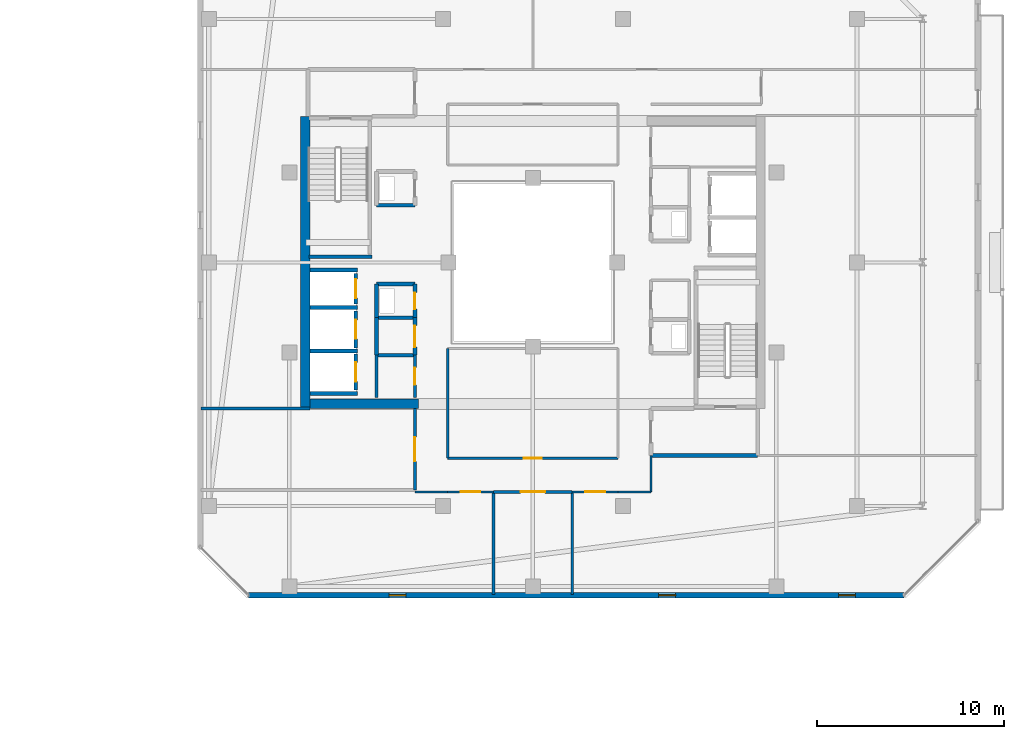
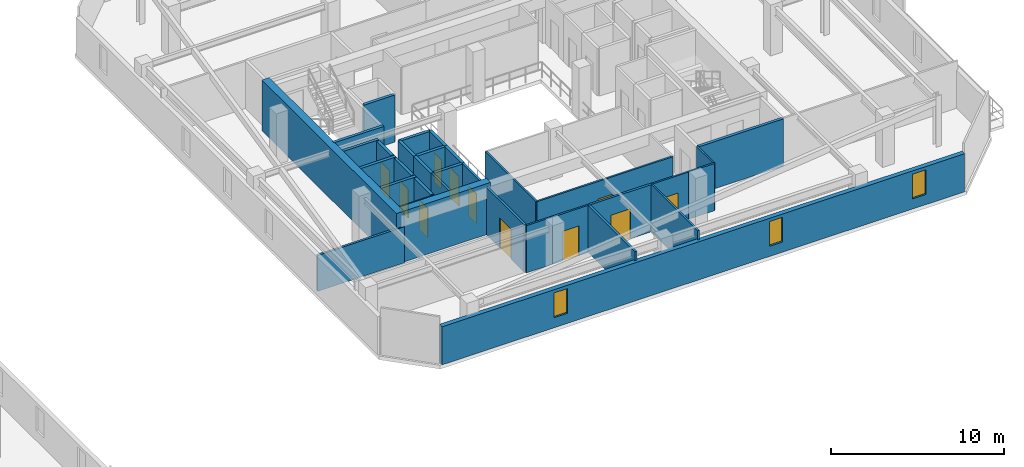
# One storey, part 25 of 34: 34 walls, 11 doors, 3 windows, 14 openings.
"""IFC4 building model written with IfcOpenShell, lengths in metres."""

from ifc_helpers import new_model, si_unit, direction, frame, frame_2d, origin, place, context, subcontext, project, spatial, rectangle, extrude, material, layer, layer_set, type_object, element, fill, save


model = new_model("IFC4")

# Units and contexts
model_context = context("Model", 3, precision=1e-05, world=origin(), true_north=direction((0.0, 1.0)))
body_context = subcontext(model_context, "Body", "Model", "MODEL_VIEW")
ifc_project = project(units=[si_unit("LENGTHUNIT", "METRE"), si_unit("AREAUNIT", "SQUARE_METRE"), si_unit("VOLUMEUNIT", "CUBIC_METRE"), si_unit("PLANEANGLEUNIT", "RADIAN"), si_unit("MASSUNIT", "GRAM", prefix="KILO")], contexts=[model_context])

# Site, building, storey
site_placement = place(None, origin())
site = spatial("IfcSite", under=ifc_project, at=site_placement, CompositionType="ELEMENT")
building_placement = place(site_placement, origin())
building = spatial("IfcBuilding", under=site, at=building_placement, Name="Thornwick Lancets Civic Towers", CompositionType="ELEMENT")
storey_placement = place(building_placement, frame((0.0, 0.0, 258.300048828125)))
storey = spatial("IfcBuildingStorey", under=building, at=storey_placement, Name="L69", CompositionType="ELEMENT", Elevation=258.300048828125)

# Wall, opening, door
ifc_material_1 = material(Name="Concrete blockwork C40/50", Category="masonry")
ifc_layer_1 = layer(ifc_material_1, 0.199951171875, Name="Concrete blockwork C40/50")
ifc_layer_set_1 = layer_set([ifc_layer_1], Name="Concrete blockwork C40/50")
wall_type_1 = type_object("IfcWallType", Name="WALL_COMP_200", PredefinedType="STANDARD", material=ifc_layer_set_1)
wall_1_placement = place(storey_placement, frame((79.050048828125, 24.780029296875, 0.0), z_axis=(0.0, 0.0, 1.0), x_axis=(0.0, 1.0, 0.0)))
wall_1 = element("IfcWall", 1, at=wall_1_placement, inside=storey, type_object=wall_type_1, Name="L69 Hoistway Front Wall FL-B2", PredefinedType="STANDARD", context=body_context, shape_type="SweptSolid", body=[
    extrude(rectangle(XDim=1.639892578125, YDim=0.199951171875, at=frame_2d((0.81982421875, 0.0))), origin(), (0.0, 0.0, 1.0), 3.33984375),
])
opening_1_placement = place(wall_1_placement, frame((0.31005859375, 0.0, 0.0)))
opening_1 = element("IfcOpeningElement", 2, at=opening_1_placement, cuts=wall_1, Name="Opening LD-FL-B2", PredefinedType="OPENING", context=body_context, shape_type="SweptSolid", body=[
    extrude(rectangle(XDim=1.02001953125, YDim=2.06005859375, at=frame_2d((0.510009765625, 1.030029296875))), frame((0.0, 0.10986328125, 0.0), z_axis=(0.0, -1.0, 0.0), x_axis=(1.0, 0.0, 0.0)), (0.0, 0.0, 1.0), 0.219970703125),
])
ifc_material_2 = material(Name="Brushed bronze stainless steel", Category="steel")
door_type_1 = type_object("IfcDoorType", Name="DOOR_LIFT_SLIDE", OperationType="SLIDING_TO_LEFT", PredefinedType="DOOR", material=ifc_material_2)
door_1_placement = place(opening_1_placement, origin())
door_1 = element("IfcDoor", 3, at=door_1_placement, inside=storey, type_object=door_type_1, Name="L69 Sliding Lift Landing Door LD-FL-B2", OperationType="SLIDING_TO_LEFT", OverallHeight=2.06005859375, OverallWidth=1.02001953125, PredefinedType="DOOR", context=body_context, shape_type="SweptSolid", body=[
    extrude(rectangle(XDim=1.02001953125, YDim=2.06005859375, at=frame_2d((0.510009765625, 1.030029296875))), frame((0.0, 0.02490234375, 0.0), z_axis=(0.0, -1.0, 0.0), x_axis=(1.0, 0.0, 0.0)), (0.0, 0.0, 1.0), 0.050048828125),
])
fill(opening_1, door_1)

wall_2_placement = place(storey_placement, frame((79.050048828125, 22.429931640625, 0.0), z_axis=(0.0, 0.0, 1.0), x_axis=(0.0, 1.0, 0.0)))
wall_2 = element("IfcWall", 4, at=wall_2_placement, inside=storey, type_object=wall_type_1, Name="L69 Hoistway Front Wall PL-BH2", PredefinedType="STANDARD", context=body_context, shape_type="SweptSolid", body=[
    extrude(rectangle(XDim=1.989990234375, YDim=0.199951171875, at=frame_2d((0.9951171875, 0.0))), origin(), (0.0, 0.0, 1.0), 3.33984375),
])
opening_2_placement = place(wall_2_placement, frame((0.485107421875, 0.0, 0.0)))
opening_2 = element("IfcOpeningElement", 5, at=opening_2_placement, cuts=wall_2, Name="Opening LD-PL-BH2", PredefinedType="OPENING", context=body_context, shape_type="SweptSolid", body=[
    extrude(rectangle(XDim=1.02001953125, YDim=2.06005859375, at=frame_2d((0.510009765625, 1.030029296875))), frame((0.0, 0.10986328125, 0.0), z_axis=(0.0, -1.0, 0.0), x_axis=(1.0, 0.0, 0.0)), (0.0, 0.0, 1.0), 0.219970703125),
])
door_2_placement = place(opening_2_placement, origin())
door_2 = element("IfcDoor", 6, at=door_2_placement, inside=storey, type_object=door_type_1, Name="L69 Sliding Lift Landing Door LD-PL-BH2", OperationType="SLIDING_TO_LEFT", OverallHeight=2.06005859375, OverallWidth=1.02001953125, PredefinedType="DOOR", context=body_context, shape_type="SweptSolid", body=[
    extrude(rectangle(XDim=1.02001953125, YDim=2.06005859375, at=frame_2d((0.510009765625, 1.030029296875))), frame((0.0, 0.02490234375, 0.0), z_axis=(0.0, -1.0, 0.0), x_axis=(1.0, 0.0, 0.0)), (0.0, 0.0, 1.0), 0.050048828125),
])
fill(opening_2, door_2)

wall_3_placement = place(storey_placement, frame((79.050048828125, 20.179931640625, 0.0), z_axis=(0.0, 0.0, 1.0), x_axis=(0.0, 1.0, 0.0)))
wall_3 = element("IfcWall", 7, at=wall_3_placement, inside=storey, type_object=wall_type_1, Name="L69 Hoistway Front Wall PL-BH3", PredefinedType="STANDARD", context=body_context, shape_type="SweptSolid", body=[
    extrude(rectangle(XDim=1.940185546875, YDim=0.199951171875, at=frame_2d((0.97021484375, 0.0))), origin(), (0.0, 0.0, 1.0), 3.33984375),
])
opening_3_placement = place(wall_3_placement, frame((0.4599609375, 0.0, 0.0)))
opening_3 = element("IfcOpeningElement", 8, at=opening_3_placement, cuts=wall_3, Name="Opening LD-PL-BH3", PredefinedType="OPENING", context=body_context, shape_type="SweptSolid", body=[
    extrude(rectangle(XDim=1.02001953125, YDim=2.06005859375, at=frame_2d((0.510009765625, 1.030029296875))), frame((0.0, 0.10986328125, 0.0), z_axis=(0.0, -1.0, 0.0), x_axis=(1.0, 0.0, 0.0)), (0.0, 0.0, 1.0), 0.219970703125),
])
door_3_placement = place(opening_3_placement, origin())
door_3 = element("IfcDoor", 9, at=door_3_placement, inside=storey, type_object=door_type_1, Name="L69 Sliding Lift Landing Door LD-PL-BH3", OperationType="SLIDING_TO_LEFT", OverallHeight=2.06005859375, OverallWidth=1.02001953125, PredefinedType="DOOR", context=body_context, shape_type="SweptSolid", body=[
    extrude(rectangle(XDim=1.02001953125, YDim=2.06005859375, at=frame_2d((0.510009765625, 1.030029296875))), frame((0.0, 0.02490234375, 0.0), z_axis=(0.0, -1.0, 0.0), x_axis=(1.0, 0.0, 0.0)), (0.0, 0.0, 1.0), 0.050048828125),
])
fill(opening_3, door_3)

# Walls
for number, where, z_axis, x_axis, name in (
    (10, (76.612060546875, 26.60009765625, 0.0), (0.0, 0.0, 1.0), (1.0, 0.0, 0.0), "L69 Hoistway Shaft Wall FL-B2 N"),
    (11, (76.612060546875, 24.60009765625, 0.0), (0.0, 0.0, 1.0), (1.0, 0.0, 0.0), "L69 Hoistway Shaft Wall FL-B2 S"),
    (12, (76.612060546875, 22.27490234375, 0.0), (0.0, 0.0, 1.0), (1.0, 0.0, 0.0), "L69 Hoistway Shaft Wall PL-BH2 S"),
    (13, (76.612060546875, 20.0, 0.0), (0.0, 0.0, 1.0), (1.0, 0.0, 0.0), "L69 Hoistway Shaft Wall PL-BH3 S"),
):
    element("IfcWall", number, at=place(storey_placement, frame(where, z_axis=z_axis, x_axis=x_axis)), inside=storey, type_object=wall_type_1, Name=name, PredefinedType="STANDARD", context=body_context, shape_type="SweptSolid", body=[
        extrude(rectangle(XDim=2.535888671875, YDim=0.199951171875, at=frame_2d((1.26806640625, 0.0))), origin(), (0.0, 0.0, 1.0), 3.33984375),
    ])
wall_4_placement = place(storey_placement, frame((94.800048828125, 16.699951171875, 0.0), z_axis=(0.0, 0.0, 1.0), x_axis=(1.0, 0.0, 0.0)))
element("IfcWall", 14, at=wall_4_placement, inside=storey, type_object=wall_type_1, Name="L69 Partition L69-B-FFLOB1 E1", PredefinedType="STANDARD", context=body_context, shape_type="SweptSolid", body=[
    extrude(rectangle(XDim=5.699951171875, YDim=0.199951171875, at=frame_2d((2.85009765625, 0.0))), origin(), (0.0, 0.0, 1.0), 3.33984375),
])
wall_5_placement = place(storey_placement, frame((80.14990234375, 24.050048828125, 0.0), z_axis=(0.0, 0.0, 1.0), x_axis=(1.0, 0.0, 0.0)))
element("IfcWall", 15, at=wall_5_placement, inside=storey, type_object=wall_type_1, Name="L69 Partition L69-B-DUCT2 E1", PredefinedType="STANDARD", context=body_context, shape_type="SweptSolid", body=[
    extrude(rectangle(XDim=2.050048828125, YDim=0.199951171875, at=frame_2d((1.02490234375, 0.0))), origin(), (0.0, 0.0, 1.0), 3.33984375),
])

# Wall, opening, door
wall_6_placement = place(storey_placement, frame((82.199951171875, 24.050048828125, 0.0), z_axis=(0.0, 0.0, 1.0), x_axis=(0.0, 1.0, 0.0)))
wall_6 = element("IfcWall", 16, at=wall_6_placement, inside=storey, type_object=wall_type_1, Name="L69 Partition L69-B-DUCT2 E2", PredefinedType="STANDARD", context=body_context, shape_type="SweptSolid", body=[
    extrude(rectangle(XDim=1.800048828125, YDim=0.199951171875, at=frame_2d((0.89990234375, 0.0))), origin(), (0.0, 0.0, 1.0), 3.33984375),
])
opening_4_placement = place(wall_6_placement, frame((0.4599609375, 0.0, 0.0)))
opening_4 = element("IfcOpeningElement", 17, at=opening_4_placement, cuts=wall_6, Name="Opening D-L69-3150", PredefinedType="OPENING", context=body_context, shape_type="SweptSolid", body=[
    extrude(rectangle(XDim=0.8798828125, YDim=2.0400390625, at=frame_2d((0.43994140625, 1.02001953125))), frame((0.0, 0.10986328125, 0.0), z_axis=(0.0, -1.0, 0.0), x_axis=(1.0, 0.0, 0.0)), (0.0, 0.0, 1.0), 0.219970703125),
])
ifc_material_3 = material(Name="Steel riser access doorset", Category="steel")
door_type_2 = type_object("IfcDoorType", Name="DOOR_RISER_850", OperationType="NOTDEFINED", PredefinedType="DOOR", material=ifc_material_3)
door_4_placement = place(opening_4_placement, origin())
door_4 = element("IfcDoor", 18, at=door_4_placement, inside=storey, type_object=door_type_2, Name="L69 West Service Duct 2 Door", OperationType="SINGLE_SWING_LEFT", OverallHeight=2.0400390625, OverallWidth=0.8798828125, PredefinedType="DOOR", context=body_context, shape_type="SweptSolid", body=[
    extrude(rectangle(XDim=0.8798828125, YDim=2.0400390625, at=frame_2d((0.43994140625, 1.02001953125))), frame((0.0, 0.02490234375, 0.0), z_axis=(0.0, -1.0, 0.0), x_axis=(1.0, 0.0, 0.0)), (0.0, 0.0, 1.0), 0.050048828125),
])
fill(opening_4, door_4)

# Walls
wall_7_placement = place(storey_placement, frame((82.199951171875, 25.85009765625, 0.0), z_axis=(0.0, 0.0, 1.0), x_axis=(-1.0, 0.0, 0.0)))
element("IfcWall", 19, at=wall_7_placement, inside=storey, type_object=wall_type_1, Name="L69 Partition L69-B-DUCT2 E3", PredefinedType="STANDARD", context=body_context, shape_type="SweptSolid", body=[
    extrude(rectangle(XDim=2.050048828125, YDim=0.199951171875, at=frame_2d((1.02490234375, 0.0))), origin(), (0.0, 0.0, 1.0), 3.33984375),
])
wall_8_placement = place(storey_placement, frame((80.14990234375, 25.85009765625, 0.0), z_axis=(0.0, 0.0, 1.0), x_axis=(0.0, -1.0, 0.0)))
element("IfcWall", 20, at=wall_8_placement, inside=storey, type_object=wall_type_1, Name="L69 Partition L69-B-DUCT2 E4", PredefinedType="STANDARD", context=body_context, shape_type="SweptSolid", body=[
    extrude(rectangle(XDim=1.800048828125, YDim=0.199951171875, at=frame_2d((0.89990234375, 0.0))), origin(), (0.0, 0.0, 1.0), 3.33984375),
])
wall_9_placement = place(storey_placement, frame((80.14990234375, 30.050048828125, 0.0), z_axis=(0.0, 0.0, 1.0), x_axis=(1.0, 0.0, 0.0)))
element("IfcWall", 21, at=wall_9_placement, inside=storey, type_object=wall_type_1, Name="L69 Partition L69-B-RISER2 E1", PredefinedType="STANDARD", context=body_context, shape_type="SweptSolid", body=[
    extrude(rectangle(XDim=2.050048828125, YDim=0.199951171875, at=frame_2d((1.02490234375, 0.0))), origin(), (0.0, 0.0, 1.0), 3.33984375),
])
wall_10_placement = place(storey_placement, frame((80.14990234375, 22.050048828125, 0.0), z_axis=(0.0, 0.0, 1.0), x_axis=(0.0, 1.0, 0.0)))
element("IfcWall", 22, at=wall_10_placement, inside=storey, type_object=wall_type_1, Name="L69 Partition L69-B-STR E1", PredefinedType="STANDARD", context=body_context, shape_type="SweptSolid", body=[
    extrude(rectangle(XDim=2.0, YDim=0.199951171875, at=frame_2d((1.0, 0.0))), origin(), (0.0, 0.0, 1.0), 3.33984375),
])

# Wall, opening, door
wall_11_placement = place(storey_placement, frame((82.199951171875, 24.050048828125, 0.0), z_axis=(0.0, 0.0, 1.0), x_axis=(0.0, -1.0, 0.0)))
wall_11 = element("IfcWall", 23, at=wall_11_placement, inside=storey, type_object=wall_type_1, Name="L69 Partition L69-B-STR E3", PredefinedType="STANDARD", context=body_context, shape_type="SweptSolid", body=[
    extrude(rectangle(XDim=2.0, YDim=0.199951171875, at=frame_2d((1.0, 0.0))), origin(), (0.0, 0.0, 1.0), 3.33984375),
])
opening_5_placement = place(wall_11_placement, frame((0.425048828125, 0.0, 0.0)))
opening_5 = element("IfcOpeningElement", 24, at=opening_5_placement, cuts=wall_11, Name="Opening D-L69-3156", PredefinedType="OPENING", context=body_context, shape_type="SweptSolid", body=[
    extrude(rectangle(XDim=1.14990234375, YDim=2.10009765625, at=frame_2d((0.574951171875, 1.050048828125))), frame((0.0, 0.10986328125, 0.0), z_axis=(0.0, -1.0, 0.0), x_axis=(1.0, 0.0, 0.0)), (0.0, 0.0, 1.0), 0.219970703125),
])
ifc_material_4 = material(Name="Glazed fire-resisting steel", Category="steel")
door_type_3 = type_object("IfcDoorType", Name="DOOR_LOBBY_FD60", OperationType="NOTDEFINED", PredefinedType="DOOR", material=ifc_material_4)
door_5_placement = place(opening_5_placement, origin())
door_5 = element("IfcDoor", 25, at=door_5_placement, inside=storey, type_object=door_type_3, Name="L69 Tower B Core Records Store Door", OperationType="SINGLE_SWING_LEFT", OverallHeight=2.10009765625, OverallWidth=1.14990234375, PredefinedType="DOOR", context=body_context, shape_type="SweptSolid", body=[
    extrude(rectangle(XDim=1.14990234375, YDim=2.10009765625, at=frame_2d((0.574951171875, 1.050048828125))), frame((0.0, 0.02490234375, 0.0), z_axis=(0.0, -1.0, 0.0), x_axis=(1.0, 0.0, 0.0)), (0.0, 0.0, 1.0), 0.050048828125),
])
fill(opening_5, door_5)

# Walls
wall_12_placement = place(storey_placement, frame((82.199951171875, 22.050048828125, 0.0), z_axis=(0.0, 0.0, 1.0), x_axis=(-1.0, 0.0, 0.0)))
element("IfcWall", 26, at=wall_12_placement, inside=storey, type_object=wall_type_1, Name="L69 Partition L69-B-STR E4", PredefinedType="STANDARD", context=body_context, shape_type="SweptSolid", body=[
    extrude(rectangle(XDim=2.050048828125, YDim=0.199951171875, at=frame_2d((1.02490234375, 0.0))), origin(), (0.0, 0.0, 1.0), 3.33984375),
])
ifc_material_5 = material(Name="Concrete C50/60", Category="concrete")
ifc_layer_2 = layer(ifc_material_5, 0.5, Name="Concrete C50/60")
ifc_layer_set_2 = layer_set([ifc_layer_2], Name="Concrete C50/60")
wall_type_2 = type_object("IfcWallType", Name="WALL_CORE_500", PredefinedType="SHEAR", material=ifc_layer_set_2)
wall_13_placement = place(storey_placement, frame((76.35009765625, 19.199951171875, 0.0), z_axis=(0.0, 0.0, 1.0), x_axis=(0.0, 1.0, 0.0)))
element("IfcWall", 27, at=wall_13_placement, inside=storey, type_object=wall_type_2, Name="L69 Split Core B2 Shear Wall W", PredefinedType="SHEAR", context=body_context, shape_type="SweptSolid", body=[
    extrude(rectangle(XDim=15.60009765625, YDim=0.5, at=frame_2d((7.800048828125, 0.0))), origin(), (0.0, 0.0, 1.0), 3.599853515625),
])
wall_14_placement = place(storey_placement, frame((76.60009765625, 19.449951171875, 0.0), z_axis=(0.0, 0.0, 1.0), x_axis=(1.0, 0.0, 0.0)))
element("IfcWall", 28, at=wall_14_placement, inside=storey, type_object=wall_type_2, Name="L69 Split Core B2 Shear Wall S", PredefinedType="SHEAR", context=body_context, shape_type="SweptSolid", body=[
    extrude(rectangle(XDim=5.7998046875, YDim=0.5, at=frame_2d((2.89990234375, 0.0))), origin(), (0.0, 0.0, 1.0), 3.599853515625),
])

# Wall, openings, windows
ifc_material_6 = material(Name="Insulated russet terracotta rainscreen on concrete C40/50", Category="masonry")
ifc_layer_3 = layer(ifc_material_6, 0.300048828125, Name="Insulated russet terracotta rainscreen on concrete C40/50")
ifc_layer_set_3 = layer_set([ifc_layer_3], Name="Insulated russet terracotta rainscreen on concrete C40/50")
wall_type_3 = type_object("IfcWallType", Name="WALL_EXT_RUSSET_300", PredefinedType="STANDARD", material=ifc_layer_set_3)
wall_15_placement = place(storey_placement, frame((73.318603515625, 9.2353515625, 0.0), z_axis=(0.0, 0.0, 1.0), x_axis=(0.999999991209, 0.000132597301, 0.0)))
wall_15 = element("IfcWall", 29, at=wall_15_placement, inside=storey, type_object=wall_type_3, Name="L69 Tower B Terracotta Facade Wall E0", PredefinedType="STANDARD", context=body_context, shape_type="SweptSolid", body=[
    extrude(rectangle(XDim=34.983154296875, YDim=0.300048828125, at=frame_2d((17.49169921875, 0.0))), origin(), (0.0, 0.0, 1.0), 2.699951171875),
])
opening_6_placement = place(wall_15_placement, frame((7.5, 0.0, 0.719970703125)))
opening_6 = element("IfcOpeningElement", 30, at=opening_6_placement, cuts=wall_15, Name="Opening WL-01", PredefinedType="OPENING", context=body_context, shape_type="SweptSolid", body=[
    extrude(rectangle(XDim=0.89990234375, YDim=1.75, at=frame_2d((0.449951171875, 0.875))), frame((0.0, 0.16015625, 0.0), z_axis=(0.0, -1.0, 0.0), x_axis=(1.0, 0.0, 0.0)), (0.0, 0.0, 1.0), 0.320068359375),
])
opening_7_placement = place(wall_15_placement, frame((21.89990234375, 0.0, 0.719970703125)))
opening_7 = element("IfcOpeningElement", 31, at=opening_7_placement, cuts=wall_15, Name="Opening WL-01", PredefinedType="OPENING", context=body_context, shape_type="SweptSolid", body=[
    extrude(rectangle(XDim=0.89990234375, YDim=1.75, at=frame_2d((0.449951171875, 0.875))), frame((0.0, 0.16015625, 0.0), z_axis=(0.0, -1.0, 0.0), x_axis=(1.0, 0.0, 0.0)), (0.0, 0.0, 1.0), 0.320068359375),
])
opening_8_placement = place(wall_15_placement, frame((31.5, 0.0, 0.719970703125)))
opening_8 = element("IfcOpeningElement", 32, at=opening_8_placement, cuts=wall_15, Name="Opening WL-01", PredefinedType="OPENING", context=body_context, shape_type="SweptSolid", body=[
    extrude(rectangle(XDim=0.89990234375, YDim=1.75, at=frame_2d((0.449951171875, 0.875))), frame((0.0, 0.16015625, 0.0), z_axis=(0.0, -1.0, 0.0), x_axis=(1.0, 0.0, 0.0)), (0.0, 0.0, 1.0), 0.320068359375),
])
ifc_material_7 = material(Name="Clear low-e double glazing in bronze frame", Category="glass")
window_type = type_object("IfcWindowType", Name="WIN_LANCET_900", PartitioningType="SINGLE_PANEL", PredefinedType="WINDOW", material=ifc_material_7)
window_1_placement = place(opening_6_placement, origin())
window_1 = element("IfcWindow", 33, at=window_1_placement, inside=storey, type_object=window_type, Name="L69 Tower B Staggered Lancet Window E0-1", OverallHeight=1.75, OverallWidth=0.89990234375, PartitioningType="SINGLE_PANEL", PredefinedType="WINDOW", context=body_context, shape_type="SweptSolid", body=[
    extrude(rectangle(XDim=0.89990234375, YDim=1.75, at=frame_2d((0.449951171875, 0.875))), frame((0.0, 0.030029296875, 0.0), z_axis=(0.0, -1.0, 0.0), x_axis=(1.0, 0.0, 0.0)), (0.0, 0.0, 1.0), 0.06005859375),
])
fill(opening_6, window_1)
window_2_placement = place(opening_7_placement, origin())
window_2 = element("IfcWindow", 34, at=window_2_placement, inside=storey, type_object=window_type, Name="L69 Tower B Staggered Lancet Window E0-2", OverallHeight=1.75, OverallWidth=0.89990234375, PartitioningType="SINGLE_PANEL", PredefinedType="WINDOW", context=body_context, shape_type="SweptSolid", body=[
    extrude(rectangle(XDim=0.89990234375, YDim=1.75, at=frame_2d((0.449951171875, 0.875))), frame((0.0, 0.030029296875, 0.0), z_axis=(0.0, -1.0, 0.0), x_axis=(1.0, 0.0, 0.0)), (0.0, 0.0, 1.0), 0.06005859375),
])
fill(opening_7, window_2)
window_3_placement = place(opening_8_placement, origin())
window_3 = element("IfcWindow", 35, at=window_3_placement, inside=storey, type_object=window_type, Name="L69 Tower B Staggered Lancet Window E0-3", OverallHeight=1.75, OverallWidth=0.89990234375, PartitioningType="SINGLE_PANEL", PredefinedType="WINDOW", context=body_context, shape_type="SweptSolid", body=[
    extrude(rectangle(XDim=0.89990234375, YDim=1.75, at=frame_2d((0.449951171875, 0.875))), frame((0.0, 0.030029296875, 0.0), z_axis=(0.0, -1.0, 0.0), x_axis=(1.0, 0.0, 0.0)), (0.0, 0.0, 1.0), 0.06005859375),
])
fill(opening_8, window_3)

# Wall
ifc_material_8 = material(Name="Acoustic gypsum board partition")
ifc_layer_4 = layer(ifc_material_8, 0.1201171875, Name="Acoustic gypsum board partition")
ifc_layer_set_4 = layer_set([ifc_layer_4], Name="Acoustic gypsum board partition")
wall_type_4 = type_object("IfcWallType", Name="WALL_PART_120", PredefinedType="PARTITIONING", material=ifc_layer_set_4)
wall_16_placement = place(storey_placement, frame((90.60009765625, 9.280029296875, 0.0), z_axis=(0.0, 0.0, 1.0), x_axis=(0.0, 1.0, 0.0)))
element("IfcWall", 36, at=wall_16_placement, inside=storey, type_object=wall_type_4, Name="L69 Partition L69-B-W1 E2", PredefinedType="PARTITIONING", context=body_context, shape_type="SweptSolid", body=[
    extrude(rectangle(XDim=5.469970703125, YDim=0.1201171875, at=frame_2d((2.73486328125, 0.0))), origin(), (0.0, 0.0, 1.0), 3.33984375),
])

# Wall, opening, door
wall_17_placement = place(storey_placement, frame((90.60009765625, 14.75, 0.0), z_axis=(0.0, 0.0, 1.0), x_axis=(1.0, 0.0, 0.0)))
wall_17 = element("IfcWall", 37, at=wall_17_placement, inside=storey, type_object=wall_type_4, Name="L69 Partition L69-B-W1 E3", PredefinedType="PARTITIONING", context=body_context, shape_type="SweptSolid", body=[
    extrude(rectangle(XDim=2.449951171875, YDim=0.1201171875, at=frame_2d((1.22509765625, 0.0))), origin(), (0.0, 0.0, 1.0), 3.33984375),
])
opening_9_placement = place(wall_17_placement, frame((0.699951171875, 0.0, 0.0)))
opening_9 = element("IfcOpeningElement", 38, at=opening_9_placement, cuts=wall_17, Name="Opening D-L69-3168", PredefinedType="OPENING", context=body_context, shape_type="SweptSolid", body=[
    extrude(rectangle(XDim=1.050048828125, YDim=2.10009765625, at=frame_2d((0.52490234375, 1.050048828125))), frame((0.0, 0.070068359375, 0.0), z_axis=(0.0, -1.0, 0.0), x_axis=(1.0, 0.0, 0.0)), (0.0, 0.0, 1.0), 0.14013671875),
])
ifc_material_9 = material(Name="Glazed European oak executive doorset")
door_type_4 = type_object("IfcDoorType", Name="DOOR_OFFICE_1050", OperationType="NOTDEFINED", PredefinedType="DOOR", material=ifc_material_9)
door_6_placement = place(opening_9_placement, origin())
door_6 = element("IfcDoor", 39, at=door_6_placement, inside=storey, type_object=door_type_4, Name="L69 Tower B Ministry Directorate Office W1 Door", OperationType="SINGLE_SWING_LEFT", OverallHeight=2.10009765625, OverallWidth=1.050048828125, PredefinedType="DOOR", context=body_context, shape_type="SweptSolid", body=[
    extrude(rectangle(XDim=1.050048828125, YDim=2.10009765625, at=frame_2d((0.52490234375, 1.050048828125))), frame((0.0, 0.02490234375, 0.0), z_axis=(0.0, -1.0, 0.0), x_axis=(1.0, 0.0, 0.0)), (0.0, 0.0, 1.0), 0.050048828125),
])
fill(opening_9, door_6)

# Walls
wall_18_placement = place(storey_placement, frame((93.050048828125, 14.75, 0.0), z_axis=(0.0, 0.0, 1.0), x_axis=(1.0, 0.0, 0.0)))
element("IfcWall", 40, at=wall_18_placement, inside=storey, type_object=wall_type_4, Name="L69 Partition L69-B-W1 E4", PredefinedType="PARTITIONING", context=body_context, shape_type="SweptSolid", body=[
    extrude(rectangle(XDim=1.75, YDim=0.1201171875, at=frame_2d((0.875, 0.0))), origin(), (0.0, 0.0, 1.0), 3.33984375),
])
wall_19_placement = place(storey_placement, frame((94.800048828125, 14.75, 0.0), z_axis=(0.0, 0.0, 1.0), x_axis=(0.0, 1.0, 0.0)))
element("IfcWall", 41, at=wall_19_placement, inside=storey, type_object=wall_type_4, Name="L69 Partition L69-B-W1 E5", PredefinedType="PARTITIONING", context=body_context, shape_type="SweptSolid", body=[
    extrude(rectangle(XDim=1.949951171875, YDim=0.1201171875, at=frame_2d((0.97509765625, 0.0))), origin(), (0.0, 0.0, 1.0), 3.33984375),
])
wall_20_placement = place(storey_placement, frame((82.199951171875, 14.75, 0.0), z_axis=(0.0, 0.0, 1.0), x_axis=(1.0, 0.0, 0.0)))
element("IfcWall", 42, at=wall_20_placement, inside=storey, type_object=wall_type_4, Name="L69 Partition L69-B-W2B E5", PredefinedType="PARTITIONING", context=body_context, shape_type="SweptSolid", body=[
    extrude(rectangle(XDim=1.75, YDim=0.1201171875, at=frame_2d((0.875, 0.0))), origin(), (0.0, 0.0, 1.0), 3.33984375),
])

# Wall, opening, door
wall_21_placement = place(storey_placement, frame((83.949951171875, 14.75, 0.0), z_axis=(0.0, 0.0, 1.0), x_axis=(1.0, 0.0, 0.0)))
wall_21 = element("IfcWall", 43, at=wall_21_placement, inside=storey, type_object=wall_type_4, Name="L69 Partition L69-B-W2B E6", PredefinedType="PARTITIONING", context=body_context, shape_type="SweptSolid", body=[
    extrude(rectangle(XDim=2.449951171875, YDim=0.1201171875, at=frame_2d((1.22509765625, 0.0))), origin(), (0.0, 0.0, 1.0), 3.33984375),
])
opening_10_placement = place(wall_21_placement, frame((0.699951171875, 0.0, 0.0)))
opening_10 = element("IfcOpeningElement", 44, at=opening_10_placement, cuts=wall_21, Name="Opening D-L69-3170", PredefinedType="OPENING", context=body_context, shape_type="SweptSolid", body=[
    extrude(rectangle(XDim=1.050048828125, YDim=2.10009765625, at=frame_2d((0.52490234375, 1.050048828125))), frame((0.0, 0.070068359375, 0.0), z_axis=(0.0, -1.0, 0.0), x_axis=(1.0, 0.0, 0.0)), (0.0, 0.0, 1.0), 0.14013671875),
])
door_7_placement = place(opening_10_placement, origin())
door_7 = element("IfcDoor", 45, at=door_7_placement, inside=storey, type_object=door_type_4, Name="L69 Tower B Parliamentary Casework Suite W2B Door", OperationType="SINGLE_SWING_LEFT", OverallHeight=2.10009765625, OverallWidth=1.050048828125, PredefinedType="DOOR", context=body_context, shape_type="SweptSolid", body=[
    extrude(rectangle(XDim=1.050048828125, YDim=2.10009765625, at=frame_2d((0.52490234375, 1.050048828125))), frame((0.0, 0.02490234375, 0.0), z_axis=(0.0, -1.0, 0.0), x_axis=(1.0, 0.0, 0.0)), (0.0, 0.0, 1.0), 0.050048828125),
])
fill(opening_10, door_7)

# Wall
wall_22_placement = place(storey_placement, frame((83.949951171875, 16.550048828125, 0.0), z_axis=(0.0, 0.0, 1.0), x_axis=(0.0, 1.0, 0.0)))
element("IfcWall", 46, at=wall_22_placement, inside=storey, type_object=wall_type_4, Name="L69 Partition L69-B-W3 E1", PredefinedType="PARTITIONING", context=body_context, shape_type="SweptSolid", body=[
    extrude(rectangle(XDim=5.849853515625, YDim=0.1201171875, at=frame_2d((2.9248046875, 0.0))), origin(), (0.0, 0.0, 1.0), 3.33984375),
])

# Wall, opening, door
wall_23_placement = place(storey_placement, frame((93.050048828125, 16.550048828125, 0.0), z_axis=(0.0, 0.0, 1.0), x_axis=(-1.0, 0.0, 0.0)))
wall_23 = element("IfcWall", 47, at=wall_23_placement, inside=storey, type_object=wall_type_4, Name="L69 Partition L69-B-W3 E4", PredefinedType="PARTITIONING", context=body_context, shape_type="SweptSolid", body=[
    extrude(rectangle(XDim=9.10009765625, YDim=0.1201171875, at=frame_2d((4.550048828125, 0.0))), origin(), (0.0, 0.0, 1.0), 3.33984375),
])
opening_11_placement = place(wall_23_placement, frame((4.074951171875, 0.0, 0.0)))
opening_11 = element("IfcOpeningElement", 48, at=opening_11_placement, cuts=wall_23, Name="Opening D-L69-3171", PredefinedType="OPENING", context=body_context, shape_type="SweptSolid", body=[
    extrude(rectangle(XDim=0.949951171875, YDim=2.10009765625, at=frame_2d((0.47509765625, 1.050048828125))), frame((0.0, 0.070068359375, 0.0), z_axis=(0.0, -1.0, 0.0), x_axis=(1.0, 0.0, 0.0)), (0.0, 0.0, 1.0), 0.14013671875),
])
ifc_material_10 = material(Name="European oak acoustic doorset")
door_type_5 = type_object("IfcDoorType", Name="DOOR_OFFICE_950", OperationType="NOTDEFINED", PredefinedType="DOOR", material=ifc_material_10)
door_8_placement = place(opening_11_placement, origin())
door_8 = element("IfcDoor", 49, at=door_8_placement, inside=storey, type_object=door_type_5, Name="L69 Tower B West Atrium Gallery Suite Door", OperationType="SINGLE_SWING_RIGHT", OverallHeight=2.10009765625, OverallWidth=0.949951171875, PredefinedType="DOOR", context=body_context, shape_type="SweptSolid", body=[
    extrude(rectangle(XDim=0.949951171875, YDim=2.10009765625, at=frame_2d((0.47509765625, 1.050048828125))), frame((0.0, 0.02490234375, 0.0), z_axis=(0.0, -1.0, 0.0), x_axis=(1.0, 0.0, 0.0)), (0.0, 0.0, 1.0), 0.050048828125),
])
fill(opening_11, door_8)

ifc_material_11 = material(Name="Twin-stud acoustic gypsum board")
ifc_layer_5 = layer(ifc_material_11, 0.14990234375, Name="Twin-stud acoustic gypsum board")
ifc_layer_set_5 = layer_set([ifc_layer_5], Name="Twin-stud acoustic gypsum board")
wall_type_5 = type_object("IfcWallType", Name="WALL_PART_150", PredefinedType="PARTITIONING", material=ifc_layer_set_5)
wall_24_placement = place(storey_placement, frame((82.199951171875, 19.800048828125, 0.0), z_axis=(0.0, 0.0, 1.0), x_axis=(0.0, 1.0, 0.0)))
wall_24 = element("IfcWall", 50, at=wall_24_placement, inside=storey, type_object=wall_type_5, Name="L69 Partition L69-B-AWC E2", PredefinedType="PARTITIONING", context=body_context, shape_type="SweptSolid", body=[
    extrude(rectangle(XDim=2.25, YDim=0.14990234375, at=frame_2d((1.125, 0.0))), origin(), (0.0, 0.0, 1.0), 3.33984375),
])
opening_12_placement = place(wall_24_placement, frame((0.6650390625, 0.0, 0.0)))
opening_12 = element("IfcOpeningElement", 51, at=opening_12_placement, cuts=wall_24, Name="Opening D-L69-3155", PredefinedType="OPENING", context=body_context, shape_type="SweptSolid", body=[
    extrude(rectangle(XDim=0.919921875, YDim=2.080078125, at=frame_2d((0.4599609375, 1.0400390625))), frame((0.0, 0.0849609375, 0.0), z_axis=(0.0, -1.0, 0.0), x_axis=(1.0, 0.0, 0.0)), (0.0, 0.0, 1.0), 0.169921875),
])
ifc_material_12 = material(Name="Moisture-resistant oak doorset")
door_type_6 = type_object("IfcDoorType", Name="DOOR_WC_900", OperationType="NOTDEFINED", PredefinedType="DOOR", material=ifc_material_12)
door_9_placement = place(opening_12_placement, origin())
door_9 = element("IfcDoor", 52, at=door_9_placement, inside=storey, type_object=door_type_6, Name="L69 Tower B Accessible WC Door", OperationType="SINGLE_SWING_RIGHT", OverallHeight=2.080078125, OverallWidth=0.919921875, PredefinedType="DOOR", context=body_context, shape_type="SweptSolid", body=[
    extrude(rectangle(XDim=0.919921875, YDim=2.080078125, at=frame_2d((0.4599609375, 1.0400390625))), frame((0.0, 0.02490234375, 0.0), z_axis=(0.0, -1.0, 0.0), x_axis=(1.0, 0.0, 0.0)), (0.0, 0.0, 1.0), 0.050048828125),
])
fill(opening_12, door_9)

# Walls
wall_25_placement = place(storey_placement, frame((80.14990234375, 22.050048828125, 0.0), z_axis=(0.0, 0.0, 1.0), x_axis=(0.0, -1.0, 0.0)))
element("IfcWall", 53, at=wall_25_placement, inside=storey, type_object=wall_type_5, Name="L69 Partition L69-B-AWC E4", PredefinedType="PARTITIONING", context=body_context, shape_type="SweptSolid", body=[
    extrude(rectangle(XDim=2.25, YDim=0.14990234375, at=frame_2d((1.125, 0.0))), origin(), (0.0, 0.0, 1.0), 3.33984375),
])
wall_26_placement = place(storey_placement, frame((70.780029296875, 19.199951171875, 0.0), z_axis=(0.0, 0.0, 1.0), x_axis=(1.0, 0.0, 0.0)))
element("IfcWall", 54, at=wall_26_placement, inside=storey, type_object=wall_type_5, Name="L69 Partition L69-B-RECLAIM-M1 E3", PredefinedType="PARTITIONING", context=body_context, shape_type="SweptSolid", body=[
    extrude(rectangle(XDim=5.820068359375, YDim=0.14990234375, at=frame_2d((2.91015625, 0.0))), origin(), (0.0, 0.0, 1.0), 2.544921875),
])

# Wall, opening, door
wall_27_placement = place(storey_placement, frame((82.199951171875, 19.199951171875, 0.0), z_axis=(0.0, 0.0, 1.0), x_axis=(0.0, -1.0, 0.0)))
wall_27 = element("IfcWall", 55, at=wall_27_placement, inside=storey, type_object=wall_type_5, Name="L69 Partition L69-B-RECLAIM-M1 E4", PredefinedType="PARTITIONING", context=body_context, shape_type="SweptSolid", body=[
    extrude(rectangle(XDim=4.349853515625, YDim=0.14990234375, at=frame_2d((2.1748046875, 0.0))), origin(), (0.0, 0.0, 1.0), 3.33984375),
])
opening_13_placement = place(wall_27_placement, frame((1.52490234375, 0.0, 0.0)))
opening_13 = element("IfcOpeningElement", 56, at=opening_13_placement, cuts=wall_27, Name="Opening D-L69-3167", PredefinedType="OPENING", context=body_context, shape_type="SweptSolid", body=[
    extrude(rectangle(XDim=1.300048828125, YDim=2.1201171875, at=frame_2d((0.64990234375, 1.06005859375))), frame((0.0, 0.0849609375, 0.0), z_axis=(0.0, -1.0, 0.0), x_axis=(1.0, 0.0, 0.0)), (0.0, 0.0, 1.0), 0.169921875),
])
ifc_material_13 = material(Name="Acoustic oak leaf-and-a-half doorset")
door_type_7 = type_object("IfcDoorType", Name="DOOR_MEET_1300", OperationType="DOUBLE_DOOR_SINGLE_SWING", PredefinedType="DOOR", material=ifc_material_13)
door_10_placement = place(opening_13_placement, origin())
door_10 = element("IfcDoor", 57, at=door_10_placement, inside=storey, type_object=door_type_7, Name="L69 Tower B Diplomatic Conference Suite Door", OperationType="DOUBLE_DOOR_SINGLE_SWING", OverallHeight=2.1201171875, OverallWidth=1.300048828125, PredefinedType="DOOR", context=body_context, shape_type="SweptSolid", body=[
    extrude(rectangle(XDim=1.300048828125, YDim=2.1201171875, at=frame_2d((0.64990234375, 1.06005859375))), frame((0.0, 0.02490234375, 0.0), z_axis=(0.0, -1.0, 0.0), x_axis=(1.0, 0.0, 0.0)), (0.0, 0.0, 1.0), 0.050048828125),
])
fill(opening_13, door_10)

# Wall
wall_28_placement = place(storey_placement, frame((86.39990234375, 9.280029296875, 0.0), z_axis=(0.0, 0.0, 1.0), x_axis=(0.0, 1.0, 0.0)))
element("IfcWall", 58, at=wall_28_placement, inside=storey, type_object=wall_type_5, Name="L69 Partition L69-B-W2 E3", PredefinedType="PARTITIONING", context=body_context, shape_type="SweptSolid", body=[
    extrude(rectangle(XDim=5.469970703125, YDim=0.14990234375, at=frame_2d((2.73486328125, 0.0))), origin(), (0.0, 0.0, 1.0), 3.33984375),
])

# Wall, opening, door
wall_29_placement = place(storey_placement, frame((86.39990234375, 14.75, 0.0), z_axis=(0.0, 0.0, 1.0), x_axis=(1.0, 0.0, 0.0)))
wall_29 = element("IfcWall", 59, at=wall_29_placement, inside=storey, type_object=wall_type_5, Name="L69 Partition L69-B-W2 E4", PredefinedType="PARTITIONING", context=body_context, shape_type="SweptSolid", body=[
    extrude(rectangle(XDim=4.2001953125, YDim=0.14990234375, at=frame_2d((2.10009765625, 0.0))), origin(), (0.0, 0.0, 1.0), 3.33984375),
])
opening_14_placement = place(wall_29_placement, frame((1.449951171875, 0.0, 0.0)))
opening_14 = element("IfcOpeningElement", 60, at=opening_14_placement, cuts=wall_29, Name="Opening D-L69-3169", PredefinedType="OPENING", context=body_context, shape_type="SweptSolid", body=[
    extrude(rectangle(XDim=1.300048828125, YDim=2.1201171875, at=frame_2d((0.64990234375, 1.06005859375))), frame((0.0, 0.0849609375, 0.0), z_axis=(0.0, -1.0, 0.0), x_axis=(1.0, 0.0, 0.0)), (0.0, 0.0, 1.0), 0.169921875),
])
door_11_placement = place(opening_14_placement, origin())
door_11 = element("IfcDoor", 61, at=door_11_placement, inside=storey, type_object=door_type_7, Name="L69 Tower B Policy Briefing Room W2 Door", OperationType="DOUBLE_DOOR_SINGLE_SWING", OverallHeight=2.1201171875, OverallWidth=1.300048828125, PredefinedType="DOOR", context=body_context, shape_type="SweptSolid", body=[
    extrude(rectangle(XDim=1.300048828125, YDim=2.1201171875, at=frame_2d((0.64990234375, 1.06005859375))), frame((0.0, 0.02490234375, 0.0), z_axis=(0.0, -1.0, 0.0), x_axis=(1.0, 0.0, 0.0)), (0.0, 0.0, 1.0), 0.050048828125),
])
fill(opening_14, door_11)

# Wall
ifc_material_14 = material(Name="Concrete C40/50", Category="concrete")
ifc_layer_6 = layer(ifc_material_14, 0.199951171875, Name="Concrete C40/50")
ifc_layer_set_6 = layer_set([ifc_layer_6], Name="Concrete C40/50")
wall_type_6 = type_object("IfcWallType", Name="WALL_SHAFT_200", PredefinedType="SHEAR", material=ifc_layer_set_6)
wall_30_placement = place(storey_placement, frame((79.89990234375, 27.300048828125, 0.0), z_axis=(0.0, 0.0, 1.0), x_axis=(-1.0, 0.0, 0.0)))
element("IfcWall", 62, at=wall_30_placement, inside=storey, type_object=wall_type_6, Name="L69 ST-B2 Fire Stair Core Wall FAR", PredefinedType="SHEAR", context=body_context, shape_type="SweptSolid", body=[
    extrude(rectangle(XDim=3.349853515625, YDim=0.199951171875, at=frame_2d((1.6748046875, 0.0))), origin(), (0.0, 0.0, 1.0), 3.599853515625),
])

save(model, "model.ifc")
